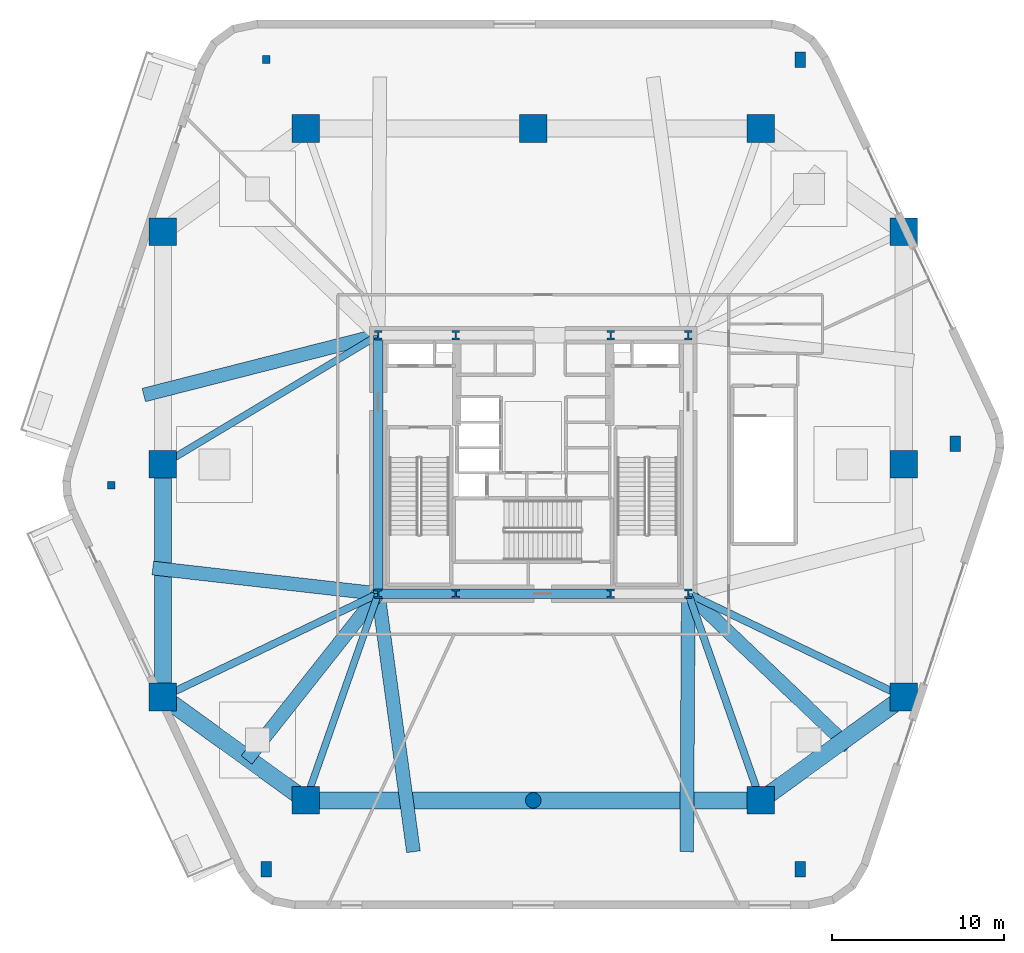
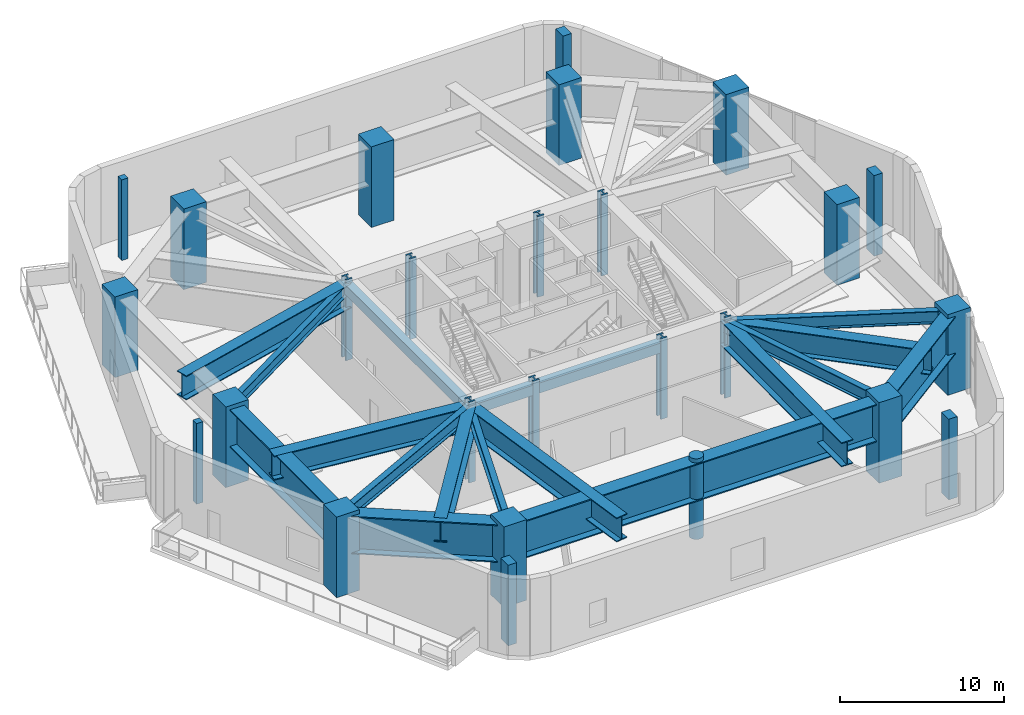
# One storey, part 1 of 14: 26 columns, 18 beams.
"""IFC4 building model written with IfcOpenShell, lengths in metres."""

from ifc_helpers import new_model, si_unit, direction, frame, origin, origin_2d, place, context, subcontext, project, spatial, rectangle, circle, i_section, extrude, material, material_profile, profile_set, type_object, element, save


model = new_model("IFC4")

# Units and contexts
model_context = context("Model", 3, precision=1e-05, world=origin(), true_north=direction((0.0, 1.0)))
body_context = subcontext(model_context, "Body", "Model", "MODEL_VIEW")
ifc_project = project(units=[si_unit("LENGTHUNIT", "METRE"), si_unit("AREAUNIT", "SQUARE_METRE"), si_unit("VOLUMEUNIT", "CUBIC_METRE"), si_unit("PLANEANGLEUNIT", "RADIAN"), si_unit("MASSUNIT", "GRAM", prefix="KILO")], contexts=[model_context])

# Site, building, storey
site_placement = place(None, origin())
site = spatial("IfcSite", under=ifc_project, at=site_placement, CompositionType="ELEMENT")
building_placement = place(site_placement, origin())
building = spatial("IfcBuilding", under=site, at=building_placement, Name="Kilnhurst Terrace Hotel", CompositionType="ELEMENT")
storey_placement = place(building_placement, frame((0.0, 0.0, 28.199951171875)))
storey = spatial("IfcBuildingStorey", under=building, at=storey_placement, Name="L05", CompositionType="ELEMENT", Elevation=28.199951171875)

# Columns
ifc_material_1 = material(Name="Concrete C60/75", Category="concrete")
ifc_material_profile_1 = material_profile(ifc_material_1, circle(Radius=0.449951171875, at=origin_2d()), Name="RCCOL900")
ifc_profile_set_1 = profile_set([ifc_material_profile_1], Name="Concrete C60/75")
column_type_1 = type_object("IfcColumnType", Name="COL-CIR-900", PredefinedType="COLUMN", material=ifc_profile_set_1)
column_placement = place(storey_placement, frame((0.0, -19.5, 0.0), z_axis=(0.0, 0.0, 1.0), x_axis=(1.0, 0.0, 0.0)))
element("IfcColumn", 1, at=column_placement, inside=storey, type_object=column_type_1, Name="L05 Structural Column TC-BALL0", PredefinedType="COLUMN", context=body_context, shape_type="SweptSolid", body=[
    extrude(circle(Radius=0.449951171875, at=origin_2d()), origin(), (0.0, 0.0, 1.0), 6.0),
])
ifc_material_2 = material(Name="Concrete C80/95", Category="concrete")
ifc_material_profile_2 = material_profile(ifc_material_2, rectangle(XDim=1.60009765625, YDim=1.60009765625, at=origin_2d()), Name="RC1600X1600")
ifc_profile_set_2 = profile_set([ifc_material_profile_2], Name="Concrete C80/95")
column_type_2 = type_object("IfcColumnType", Name="COL-RC-1600", PredefinedType="COLUMN", material=ifc_profile_set_2)
for number, where, z_axis, x_axis, name in (
    (2, (-21.5, -13.5, 0.0), (0.0, 0.0, 1.0), (1.0, 0.0, 0.0), "L05 Structural Column MC-W1"),
    (3, (-21.5, 0.0, 0.0), (0.0, 0.0, 1.0), (1.0, 0.0, 0.0), "L05 Structural Column MC-W2"),
    (4, (-21.5, 13.5, 0.0), (0.0, 0.0, 1.0), (1.0, 0.0, 0.0), "L05 Structural Column MC-W3"),
    (5, (21.5, -13.5, 0.0), (0.0, 0.0, 1.0), (1.0, 0.0, 0.0), "L05 Structural Column MC-E1"),
    (6, (21.5, 0.0, 0.0), (0.0, 0.0, 1.0), (1.0, 0.0, 0.0), "L05 Structural Column MC-E2"),
    (7, (21.5, 13.5, 0.0), (0.0, 0.0, 1.0), (1.0, 0.0, 0.0), "L05 Structural Column MC-E3"),
    (8, (-13.199951171875, -19.5, 0.0), (0.0, 0.0, 1.0), (1.0, 0.0, 0.0), "L05 Structural Column MC-S1"),
    (9, (13.199951171875, -19.5, 0.0), (0.0, 0.0, 1.0), (1.0, 0.0, 0.0), "L05 Structural Column MC-S2"),
    (10, (-13.199951171875, 19.5, 0.0), (0.0, 0.0, 1.0), (1.0, 0.0, 0.0), "L05 Structural Column MC-N1"),
    (11, (0.0, 19.5, 0.0), (0.0, 0.0, 1.0), (1.0, 0.0, 0.0), "L05 Structural Column MC-N2"),
    (12, (13.199951171875, 19.5, 0.0), (0.0, 0.0, 1.0), (1.0, 0.0, 0.0), "L05 Structural Column MC-N3"),
):
    element("IfcColumn", number, at=place(storey_placement, frame(where, z_axis=z_axis, x_axis=x_axis)), inside=storey, type_object=column_type_2, Name=name, PredefinedType="COLUMN", context=body_context, shape_type="SweptSolid", body=[
        extrude(rectangle(XDim=1.60009765625, YDim=1.60009765625, at=origin_2d()), origin(), (0.0, 0.0, 1.0), 6.0),
    ])
ifc_material_3 = material(Name="Steel ASTM A992 Grade 50", Category="steel")
ifc_material_profile_3 = material_profile(ifc_material_3, i_section(OverallWidth=0.454345703125, OverallDepth=0.569091796875, WebThickness=0.077880859375, FlangeThickness=0.124755859375, at=origin_2d()), Name="W14X730")
ifc_profile_set_3 = profile_set([ifc_material_profile_3], Name="Steel ASTM A992 Grade 50")
column_type_3 = type_object("IfcColumnType", Name="COL-STL-W14X730", PredefinedType="COLUMN", material=ifc_profile_set_3)
for number, where, z_axis, x_axis, name in (
    (13, (-9.0, -7.5, 0.0), (0.0, 0.0, 1.0), (1.0, 0.0, 0.0), "L05 Structural Column CC-SW"),
    (14, (-4.5, -7.5, 0.0), (0.0, 0.0, 1.0), (1.0, 0.0, 0.0), "L05 Structural Column CC-SC1"),
    (15, (4.5, -7.5, 0.0), (0.0, 0.0, 1.0), (1.0, 0.0, 0.0), "L05 Structural Column CC-SC2"),
    (16, (9.0, -7.5, 0.0), (0.0, 0.0, 1.0), (1.0, 0.0, 0.0), "L05 Structural Column CC-SE"),
    (17, (9.0, 7.5, 0.0), (0.0, 0.0, 1.0), (1.0, 0.0, 0.0), "L05 Structural Column CC-NE"),
    (18, (4.5, 7.5, 0.0), (0.0, 0.0, 1.0), (1.0, 0.0, 0.0), "L05 Structural Column CC-NC2"),
    (19, (-4.5, 7.5, 0.0), (0.0, 0.0, 1.0), (1.0, 0.0, 0.0), "L05 Structural Column CC-NC1"),
    (20, (-9.0, 7.5, 0.0), (0.0, 0.0, 1.0), (1.0, 0.0, 0.0), "L05 Structural Column CC-NW"),
):
    element("IfcColumn", number, at=place(storey_placement, frame(where, z_axis=z_axis, x_axis=x_axis)), inside=storey, type_object=column_type_3, Name=name, PredefinedType="COLUMN", context=body_context, shape_type="SweptSolid", body=[
        extrude(i_section(OverallWidth=0.454345703125, OverallDepth=0.569091796875, WebThickness=0.077880859375, FlangeThickness=0.124755859375, at=origin_2d()), origin(), (0.0, 0.0, 1.0), 6.0),
    ])
ifc_material_4 = material(Name="Concrete C50/60", Category="concrete")
ifc_material_profile_4 = material_profile(ifc_material_4, rectangle(XDim=0.449951171875, YDim=0.449951171875, at=origin_2d()), Name="RC450X450")
ifc_profile_set_4 = profile_set([ifc_material_profile_4], Name="Concrete C50/60")
column_type_4 = type_object("IfcColumnType", Name="PIL-RC-450X450", PredefinedType="PILASTER", material=ifc_profile_set_4)
for number, where, z_axis, x_axis, name in (
    (21, (-15.5, 23.5, 0.0), (0.0, 0.0, 1.0), (1.0, 0.0, 0.0), "L05 Continuous Structural Pilaster PIL5"),
    (22, (-24.5, -1.199951171875, 0.0), (0.0, 0.0, 1.0), (1.0, 0.0, 0.0), "L05 Continuous Structural Pilaster PIL6"),
):
    element("IfcColumn", number, at=place(storey_placement, frame(where, z_axis=z_axis, x_axis=x_axis)), inside=storey, type_object=column_type_4, Name=name, PredefinedType="PILASTER", context=body_context, shape_type="SweptSolid", body=[
        extrude(rectangle(XDim=0.449951171875, YDim=0.449951171875, at=origin_2d()), origin(), (0.0, 0.0, 1.0), 6.0),
    ])
ifc_material_profile_5 = material_profile(ifc_material_1, rectangle(XDim=0.60009765625, YDim=0.89990234375, at=origin_2d()), Name="RC600X900")
ifc_profile_set_5 = profile_set([ifc_material_profile_5], Name="Concrete C60/75")
column_type_5 = type_object("IfcColumnType", Name="PIL-RC-600X900", PredefinedType="PILASTER", material=ifc_profile_set_5)
for number, where, z_axis, x_axis, name in (
    (23, (-15.5, -23.5, 0.0), (0.0, 0.0, 1.0), (1.0, 0.0, 0.0), "L05 Continuous Structural Pilaster PIL1"),
    (24, (15.5, -23.5, 0.0), (0.0, 0.0, 1.0), (1.0, 0.0, 0.0), "L05 Continuous Structural Pilaster PIL2"),
    (25, (24.5, 1.199951171875, 0.0), (0.0, 0.0, 1.0), (1.0, 0.0, 0.0), "L05 Continuous Structural Pilaster PIL3"),
    (26, (15.5, 23.5, 0.0), (0.0, 0.0, 1.0), (1.0, 0.0, 0.0), "L05 Continuous Structural Pilaster PIL4"),
):
    element("IfcColumn", number, at=place(storey_placement, frame(where, z_axis=z_axis, x_axis=x_axis)), inside=storey, type_object=column_type_5, Name=name, PredefinedType="PILASTER", context=body_context, shape_type="SweptSolid", body=[
        extrude(rectangle(XDim=0.60009765625, YDim=0.89990234375, at=origin_2d()), origin(), (0.0, 0.0, 1.0), 6.0),
    ])

# Beams
ifc_material_profile_6 = material_profile(ifc_material_4, rectangle(XDim=0.550048828125, YDim=0.75, at=origin_2d()), Name="RC550X750")
ifc_profile_set_6 = profile_set([ifc_material_profile_6], Name="Concrete C50/60")
beam_type_1 = type_object("IfcBeamType", Name="BM-SPN-550X750", PredefinedType="SPANDREL", material=ifc_profile_set_6)
beam_1_placement = place(storey_placement, frame((-9.0, -7.5, 5.324951171875), z_axis=(1.0, 0.0, 0.0), x_axis=(0.0, 1.0, 0.0)))
element("IfcBeam", 27, at=beam_1_placement, inside=storey, type_object=beam_type_1, Name="L05 Core Tie Beam CC-SW to CC-SC1", PredefinedType="SPANDREL", context=body_context, shape_type="SweptSolid", body=[
    extrude(rectangle(XDim=0.550048828125, YDim=0.75, at=origin_2d()), origin(), (0.0, 0.0, 1.0), 4.5),
])
beam_2_placement = place(storey_placement, frame((-4.5, -7.5, 5.324951171875), z_axis=(1.0, 0.0, 0.0), x_axis=(0.0, 1.0, 0.0)))
element("IfcBeam", 28, at=beam_2_placement, inside=storey, type_object=beam_type_1, Name="L05 Core Tie Beam CC-SC1 to CC-SC2", PredefinedType="SPANDREL", context=body_context, shape_type="SweptSolid", body=[
    extrude(rectangle(XDim=0.550048828125, YDim=0.75, at=origin_2d()), origin(), (0.0, 0.0, 1.0), 9.0),
])
beam_3_placement = place(storey_placement, frame((-9.0, -7.5, 5.324951171875), z_axis=(0.0, 1.0, 0.0), x_axis=(-1.0, 0.0, 0.0)))
element("IfcBeam", 29, at=beam_3_placement, inside=storey, type_object=beam_type_1, Name="L05 Core Tie Beam CC-SW to CC-NW", PredefinedType="SPANDREL", context=body_context, shape_type="SweptSolid", body=[
    extrude(rectangle(XDim=0.550048828125, YDim=0.75, at=origin_2d()), origin(), (0.0, 0.0, 1.0), 15.0),
])
ifc_material_profile_7 = material_profile(ifc_material_3, i_section(OverallWidth=0.39990234375, OverallDepth=0.85546875, WebThickness=0.018310546875, FlangeThickness=0.029296875, at=origin_2d()), Name="W33X201")
ifc_profile_set_7 = profile_set([ifc_material_profile_7], Name="Steel ASTM A992 Grade 50")
beam_type_2 = type_object("IfcBeamType", Name="BM-STL-W33X201", PredefinedType="BEAM", material=ifc_profile_set_7)
beam_4_placement = place(storey_placement, frame((-21.5, 0.0, 5.27197265625), z_axis=(0.857492925713, 0.514495755428, 0.0), x_axis=(-0.514495755428, 0.857492925713, 0.0)))
element("IfcBeam", 30, at=beam_4_placement, inside=storey, type_object=beam_type_2, Name="L05 Podium Frame Beam 9", PredefinedType="BEAM", context=body_context, shape_type="SweptSolid", body=[
    extrude(i_section(OverallWidth=0.39990234375, OverallDepth=0.85546875, WebThickness=0.018310546875, FlangeThickness=0.029296875, at=origin_2d()), origin(), (0.0, 0.0, 1.0), 14.577392578125),
])
beam_5_placement = place(storey_placement, frame((-13.199951171875, -19.5, 5.27197265625), z_axis=(0.330347003279, 0.943859553866, 0.0), x_axis=(-0.943859553866, 0.330347003279, 0.0)))
element("IfcBeam", 31, at=beam_5_placement, inside=storey, type_object=beam_type_2, Name="L05 Podium Frame Beam 15", PredefinedType="BEAM", context=body_context, shape_type="SweptSolid", body=[
    extrude(i_section(OverallWidth=0.39990234375, OverallDepth=0.85546875, WebThickness=0.018310546875, FlangeThickness=0.029296875, at=origin_2d()), origin(), (0.0, 0.0, 1.0), 12.7138671875),
])
ifc_material_profile_8 = material_profile(ifc_material_3, i_section(OverallWidth=0.423095703125, OverallDepth=0.9482421875, WebThickness=0.02392578125, FlangeThickness=0.042724609375, at=origin_2d()), Name="W36X302")
ifc_profile_set_8 = profile_set([ifc_material_profile_8], Name="Steel ASTM A992 Grade 50")
beam_type_3 = type_object("IfcBeamType", Name="BM-STL-W36X302", PredefinedType="BEAM", material=ifc_profile_set_8)
for number, where, z_axis, x_axis, name in (
    (32, (-21.5, -13.5, 5.22607421875), (0.901523057468, 0.432731067585, 0.0), (-0.432731067585, 0.901523057468, 0.0), "L05 Podium Frame Beam 10"),
    (33, (21.5, -13.5, 5.22607421875), (-0.901523057468, 0.432731067585, 0.0), (-0.432731067585, -0.901523057468, 0.0), "L05 Podium Frame Beam 12"),
):
    element("IfcBeam", number, at=place(storey_placement, frame(where, z_axis=z_axis, x_axis=x_axis)), inside=storey, type_object=beam_type_3, Name=name, PredefinedType="BEAM", context=body_context, shape_type="SweptSolid", body=[
        extrude(i_section(OverallWidth=0.423095703125, OverallDepth=0.9482421875, WebThickness=0.02392578125, FlangeThickness=0.042724609375, at=origin_2d()), origin(), (0.0, 0.0, 1.0), 13.865478515625),
    ])
beam_6_placement = place(storey_placement, frame((13.199951171875, -19.5, 5.22607421875), z_axis=(-0.330347003279, 0.943859553866, 0.0), x_axis=(-0.943859553866, -0.330347003279, 0.0)))
element("IfcBeam", 34, at=beam_6_placement, inside=storey, type_object=beam_type_3, Name="L05 Podium Frame Beam 16", PredefinedType="BEAM", context=body_context, shape_type="SweptSolid", body=[
    extrude(i_section(OverallWidth=0.423095703125, OverallDepth=0.9482421875, WebThickness=0.02392578125, FlangeThickness=0.042724609375, at=origin_2d()), origin(), (0.0, 0.0, 1.0), 12.7138671875),
])
ifc_material_5 = material(Name="Steel ASTM A572 Grade 50", Category="steel")
ifc_material_profile_9 = material_profile(ifc_material_5, i_section(OverallWidth=0.800048828125, OverallDepth=1.800048828125, WebThickness=0.0400390625, FlangeThickness=0.06494140625, at=origin_2d()), Name="PG1800X800")
ifc_profile_set_9 = profile_set([ifc_material_profile_9], Name="Steel ASTM A572 Grade 50")
beam_type_4 = type_object("IfcBeamType", Name="TG-STEP-1800", PredefinedType="USERDEFINED", material=ifc_profile_set_9)
beam_7_placement = place(storey_placement, frame((-9.0, -7.5, 4.800048828125), z_axis=(0.13525588246, -0.990810701527, 0.0), x_axis=(0.990810701527, 0.13525588246, 0.0)))
element("IfcBeam", 35, at=beam_7_placement, inside=storey, type_object=beam_type_4, Name="L05 Radial Through-Column Transfer Girder 1", ObjectType="GIRDER", PredefinedType="USERDEFINED", context=body_context, shape_type="SweptSolid", body=[
    extrude(i_section(OverallWidth=0.800048828125, OverallDepth=1.800048828125, WebThickness=0.0400390625, FlangeThickness=0.06494140625, at=origin_2d()), origin(), (0.0, 0.0, 1.0), 15.118896484375),
])
beam_8_placement = place(storey_placement, frame((9.0, -7.5, 4.800048828125), z_axis=(-0.006339714179, -0.99997990381, 0.0), x_axis=(0.99997990381, -0.006339714179, 0.0)))
element("IfcBeam", 36, at=beam_8_placement, inside=storey, type_object=beam_type_4, Name="L05 Radial Through-Column Transfer Girder 2", ObjectType="GIRDER", PredefinedType="USERDEFINED", context=body_context, shape_type="SweptSolid", body=[
    extrude(i_section(OverallWidth=0.800048828125, OverallDepth=1.800048828125, WebThickness=0.0400390625, FlangeThickness=0.06494140625, at=origin_2d()), origin(), (0.0, 0.0, 1.0), 14.980224609375),
])
beam_9_placement = place(storey_placement, frame((9.0, -7.5, 4.800048828125), z_axis=(0.723454302813, -0.690372270403, 0.0), x_axis=(0.690372270403, 0.723454302813, 0.0)))
element("IfcBeam", 37, at=beam_9_placement, inside=storey, type_object=beam_type_4, Name="L05 Radial Through-Column Transfer Girder 3", ObjectType="GIRDER", PredefinedType="USERDEFINED", context=body_context, shape_type="SweptSolid", body=[
    extrude(i_section(OverallWidth=0.800048828125, OverallDepth=1.800048828125, WebThickness=0.0400390625, FlangeThickness=0.06494140625, at=origin_2d()), origin(), (0.0, 0.0, 1.0), 12.907470703125),
])
beam_10_placement = place(storey_placement, frame((-9.0, 7.5, 4.800048828125), z_axis=(-0.968980179812, -0.247138445273, 0.0), x_axis=(0.247138445273, -0.968980179812, 0.0)))
element("IfcBeam", 38, at=beam_10_placement, inside=storey, type_object=beam_type_4, Name="L05 Radial Through-Column Transfer Girder 10", ObjectType="GIRDER", PredefinedType="USERDEFINED", context=body_context, shape_type="SweptSolid", body=[
    extrude(i_section(OverallWidth=0.800048828125, OverallDepth=1.800048828125, WebThickness=0.0400390625, FlangeThickness=0.06494140625, at=origin_2d()), origin(), (0.0, 0.0, 1.0), 14.04443359375),
])
beam_11_placement = place(storey_placement, frame((-9.0, -7.5, 4.800048828125), z_axis=(-0.993611493249, 0.112854776075, 0.0), x_axis=(-0.112854776075, -0.993611493249, 0.0)))
element("IfcBeam", 39, at=beam_11_placement, inside=storey, type_object=beam_type_4, Name="L05 Radial Through-Column Transfer Girder 11", ObjectType="GIRDER", PredefinedType="USERDEFINED", context=body_context, shape_type="SweptSolid", body=[
    extrude(i_section(OverallWidth=0.800048828125, OverallDepth=1.800048828125, WebThickness=0.0400390625, FlangeThickness=0.06494140625, at=origin_2d()), origin(), (0.0, 0.0, 1.0), 13.168212890625),
])
beam_12_placement = place(storey_placement, frame((-9.0, -7.5, 4.800048828125), z_axis=(-0.62079385707, -0.783973843329, 0.0), x_axis=(0.783973843329, -0.62079385707, 0.0)))
element("IfcBeam", 40, at=beam_12_placement, inside=storey, type_object=beam_type_4, Name="L05 Radial Through-Column Transfer Girder 12", ObjectType="GIRDER", PredefinedType="USERDEFINED", context=body_context, shape_type="SweptSolid", body=[
    extrude(i_section(OverallWidth=0.800048828125, OverallDepth=1.800048828125, WebThickness=0.0400390625, FlangeThickness=0.06494140625, at=origin_2d()), origin(), (0.0, 0.0, 1.0), 12.311767578125),
])
ifc_material_profile_10 = material_profile(ifc_material_5, i_section(OverallWidth=1.0, OverallDepth=2.800048828125, WebThickness=0.050048828125, FlangeThickness=0.080078125, at=origin_2d()), Name="PG2800X1000")
ifc_profile_set_10 = profile_set([ifc_material_profile_10], Name="Steel ASTM A572 Grade 50")
beam_type_5 = type_object("IfcBeamType", Name="TG-TWR-2800", PredefinedType="USERDEFINED", material=ifc_profile_set_10)
beam_13_placement = place(storey_placement, frame((-13.199951171875, -19.5, 4.300048828125), z_axis=(1.0, 0.0, 0.0), x_axis=(0.0, 1.0, 0.0)))
element("IfcBeam", 41, at=beam_13_placement, inside=storey, type_object=beam_type_5, Name="L05 Podium Mega-Column Transfer Ring Girder 1", ObjectType="GIRDER", PredefinedType="USERDEFINED", context=body_context, shape_type="SweptSolid", body=[
    extrude(i_section(OverallWidth=1.0, OverallDepth=2.800048828125, WebThickness=0.050048828125, FlangeThickness=0.080078125, at=origin_2d()), origin(), (0.0, 0.0, 1.0), 26.39990234375),
])
beam_14_placement = place(storey_placement, frame((13.199951171875, -19.5, 4.300048828125), z_axis=(0.810423314702, 0.585844732833, 0.0), x_axis=(-0.585844732833, 0.810423314702, 0.0)))
element("IfcBeam", 42, at=beam_14_placement, inside=storey, type_object=beam_type_5, Name="L05 Podium Mega-Column Transfer Ring Girder 2", ObjectType="GIRDER", PredefinedType="USERDEFINED", context=body_context, shape_type="SweptSolid", body=[
    extrude(i_section(OverallWidth=1.0, OverallDepth=2.800048828125, WebThickness=0.050048828125, FlangeThickness=0.080078125, at=origin_2d()), origin(), (0.0, 0.0, 1.0), 10.24169921875),
])
beam_15_placement = place(storey_placement, frame((-21.5, 0.0, 4.300048828125), z_axis=(0.0, -1.0, 0.0), x_axis=(1.0, 0.0, 0.0)))
element("IfcBeam", 43, at=beam_15_placement, inside=storey, type_object=beam_type_5, Name="L05 Podium Mega-Column Transfer Ring Girder 10", ObjectType="GIRDER", PredefinedType="USERDEFINED", context=body_context, shape_type="SweptSolid", body=[
    extrude(i_section(OverallWidth=1.0, OverallDepth=2.800048828125, WebThickness=0.050048828125, FlangeThickness=0.080078125, at=origin_2d()), origin(), (0.0, 0.0, 1.0), 13.5),
])
beam_16_placement = place(storey_placement, frame((-21.5, -13.5, 4.300048828125), z_axis=(0.810423314702, -0.585844732833, 0.0), x_axis=(0.585844732833, 0.810423314702, 0.0)))
element("IfcBeam", 44, at=beam_16_placement, inside=storey, type_object=beam_type_5, Name="L05 Podium Mega-Column Transfer Ring Girder 11", ObjectType="GIRDER", PredefinedType="USERDEFINED", context=body_context, shape_type="SweptSolid", body=[
    extrude(i_section(OverallWidth=1.0, OverallDepth=2.800048828125, WebThickness=0.050048828125, FlangeThickness=0.080078125, at=origin_2d()), origin(), (0.0, 0.0, 1.0), 10.24169921875),
])

save(model, "model.ifc")
